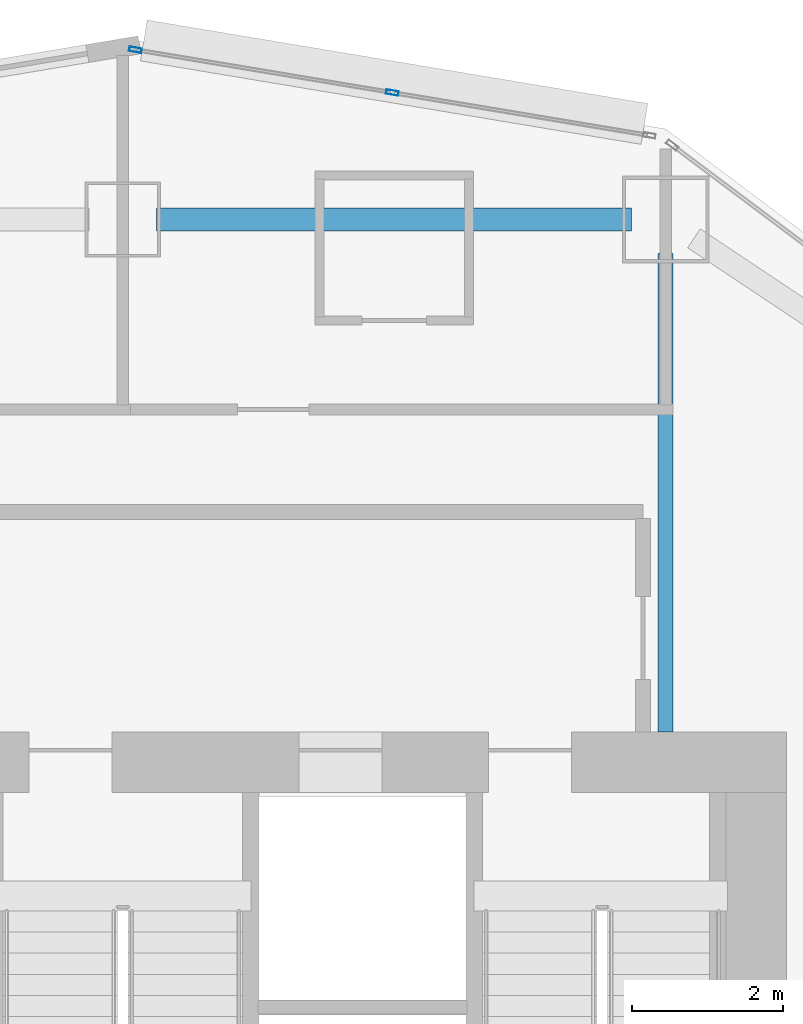
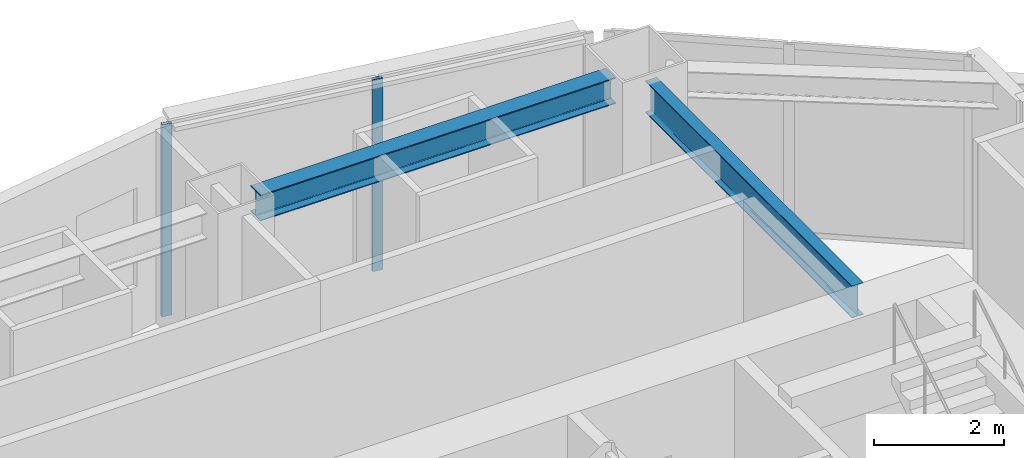
# One storey, part 2 of 18: 2 beams, 2 members, 1 element without a shape of its own.
"""IFC4 building model written with IfcOpenShell, lengths in metres."""

from ifc_helpers import new_model, si_unit, direction, frame, origin, origin_2d, place, context, subcontext, project, spatial, hollow_rectangle, i_section, extrude, material, layer, layer_set, material_profile, profile_set, type_object, element, aggregate, save


model = new_model("IFC4")

# Units and contexts
model_context = context("Model", 3, precision=1e-05, world=origin(), true_north=direction((0.0, 1.0)))
body_context = subcontext(model_context, "Body", "Model", "MODEL_VIEW")
ifc_project = project(units=[si_unit("LENGTHUNIT", "METRE"), si_unit("AREAUNIT", "SQUARE_METRE"), si_unit("VOLUMEUNIT", "CUBIC_METRE"), si_unit("PLANEANGLEUNIT", "RADIAN"), si_unit("MASSUNIT", "GRAM", prefix="KILO")], contexts=[model_context])

# Site, building, storey
site_placement = place(None, origin())
site = spatial("IfcSite", under=ifc_project, at=site_placement, CompositionType="ELEMENT")
building_placement = place(site_placement, origin())
building = spatial("IfcBuilding", under=site, at=building_placement, Name="Haolan Belvedere Tower", CompositionType="ELEMENT")
storey_placement = place(building_placement, frame((0.0, 0.0, 51.39990234375)))
storey = spatial("IfcBuildingStorey", under=building, at=storey_placement, Name="L12", CompositionType="ELEMENT", Elevation=51.39990234375)

# Beams
ifc_material_1 = material(Name="Steel Q355B", Category="steel")
ifc_material_profile_1 = material_profile(ifc_material_1, i_section(OverallWidth=0.300048828125, OverallDepth=0.488037109375, WebThickness=0.010986328125, FlangeThickness=0.01806640625, FilletRadius=0.02587890625, at=origin_2d()), Name="Steel Q355B")
ifc_profile_set_1 = profile_set([ifc_material_profile_1], Name="Steel Q355B")
beam_type_1 = type_object("IfcBeamType", Name="BM-HM488x300x11x18", PredefinedType="SPANDREL", material=ifc_profile_set_1)
beam_1_placement = place(storey_placement, frame((38.85009765625, 50.39990234375, 3.356201171875), z_axis=(1.0, 0.0, 0.0), x_axis=(0.0, 1.0, 0.0)))
element("IfcBeam", 1, at=beam_1_placement, inside=storey, type_object=beam_type_1, Name="L12 spandrel girder TC-T3-NM-MC-T3-N2", PredefinedType="SPANDREL", context=body_context, shape_type="SweptSolid", body=[
    extrude(i_section(OverallWidth=0.300048828125, OverallDepth=0.488037109375, WebThickness=0.010986328125, FlangeThickness=0.01806640625, FilletRadius=0.02587890625, at=origin_2d()), origin(), (0.0, 0.0, 1.0), 6.2998046875),
])
ifc_material_profile_2 = material_profile(ifc_material_1, i_section(OverallWidth=0.199951171875, OverallDepth=0.60009765625, WebThickness=0.010986328125, FlangeThickness=0.01708984375, FilletRadius=0.02197265625, at=origin_2d()), Name="Steel Q355B")
ifc_profile_set_2 = profile_set([ifc_material_profile_2], Name="Steel Q355B")
beam_type_2 = type_object("IfcBeamType", Name="BM-HN600x200x11x17", PredefinedType="BEAM", material=ifc_profile_set_2)
beam_2_placement = place(storey_placement, frame((45.60009765625, 49.949951171875, 3.300048828125), z_axis=(0.0, -1.0, 0.0), x_axis=(1.0, 0.0, 0.0)))
element("IfcBeam", 2, at=beam_2_placement, inside=storey, type_object=beam_type_2, Name="L12 core tie beam from MC-T3-N2", PredefinedType="BEAM", context=body_context, shape_type="SweptSolid", body=[
    extrude(i_section(OverallWidth=0.199951171875, OverallDepth=0.60009765625, WebThickness=0.010986328125, FlangeThickness=0.01708984375, FilletRadius=0.02197265625, at=origin_2d()), origin(), (0.0, 0.0, 1.0), 6.349853515625),
])

# Curtain wall, members
ifc_material_2 = material(Name="Anodised champagne-silver aluminium 6063-T6 and Low-E glass", Category="aluminium")
ifc_layer = layer(ifc_material_2, 0.1650390625, Name="Anodised champagne-silver aluminium 6063-T6 and Low-E glass")
ifc_layer_set = layer_set([ifc_layer], Name="Anodised champagne-silver aluminium 6063-T6 and Low-E glass")
curtain_wall_type = type_object("IfcCurtainWallType", Name="CW-SYS-02", PredefinedType="NOTDEFINED", material=ifc_layer_set)
curtain_wall_placement = place(storey_placement, origin())
curtain_wall = element("IfcCurtainWall", 3, at=curtain_wall_placement, inside=storey, type_object=curtain_wall_type, Name="L12 CW-SYS-02 ribbon curtain wall 42.1", PredefinedType="NOTDEFINED")
ifc_material_3 = material(Name="Anodised aluminium 6063-T6", Category="aluminium")
ifc_material_profile_3 = material_profile(ifc_material_3, hollow_rectangle(XDim=0.06005859375, YDim=0.1650390625, WallThickness=0.00390625, at=origin_2d()), Name="Anodised aluminium 6063-T6")
ifc_profile_set_3 = profile_set([ifc_material_profile_3], Name="Anodised aluminium 6063-T6")
member_type = type_object("IfcMemberType", Name="CW-SYS-02-MUL", PredefinedType="MULLION", material=ifc_profile_set_3)
member_1_placement = place(storey_placement, frame((41.9755859375, 52.082275390625, 0.0), z_axis=(0.0, 0.0, 1.0), x_axis=(-0.16440364043, -0.9863931483, 0.0)))
member_1 = element("IfcMember", 4, at=member_1_placement, type_object=member_type, Name="CW-02 mullion 2", PredefinedType="MULLION", context=body_context, shape_type="SweptSolid", body=[
    extrude(hollow_rectangle(XDim=0.06005859375, YDim=0.1650390625, WallThickness=0.00390625, at=origin_2d()), origin(), (0.0, 0.0, 1.0), 3.60009765625),
])
member_2_placement = place(storey_placement, frame((38.567626953125, 52.650390625, 0.0), z_axis=(0.0, 0.0, 1.0), x_axis=(-0.16440364043, -0.9863931483, 0.0)))
member_2 = element("IfcMember", 5, at=member_2_placement, type_object=member_type, Name="CW-02 mullion 3", PredefinedType="MULLION", context=body_context, shape_type="SweptSolid", body=[
    extrude(hollow_rectangle(XDim=0.06005859375, YDim=0.1650390625, WallThickness=0.00390625, at=origin_2d()), origin(), (0.0, 0.0, 1.0), 3.60009765625),
])
aggregate(curtain_wall, [member_1, member_2])

save(model, "model.ifc")
